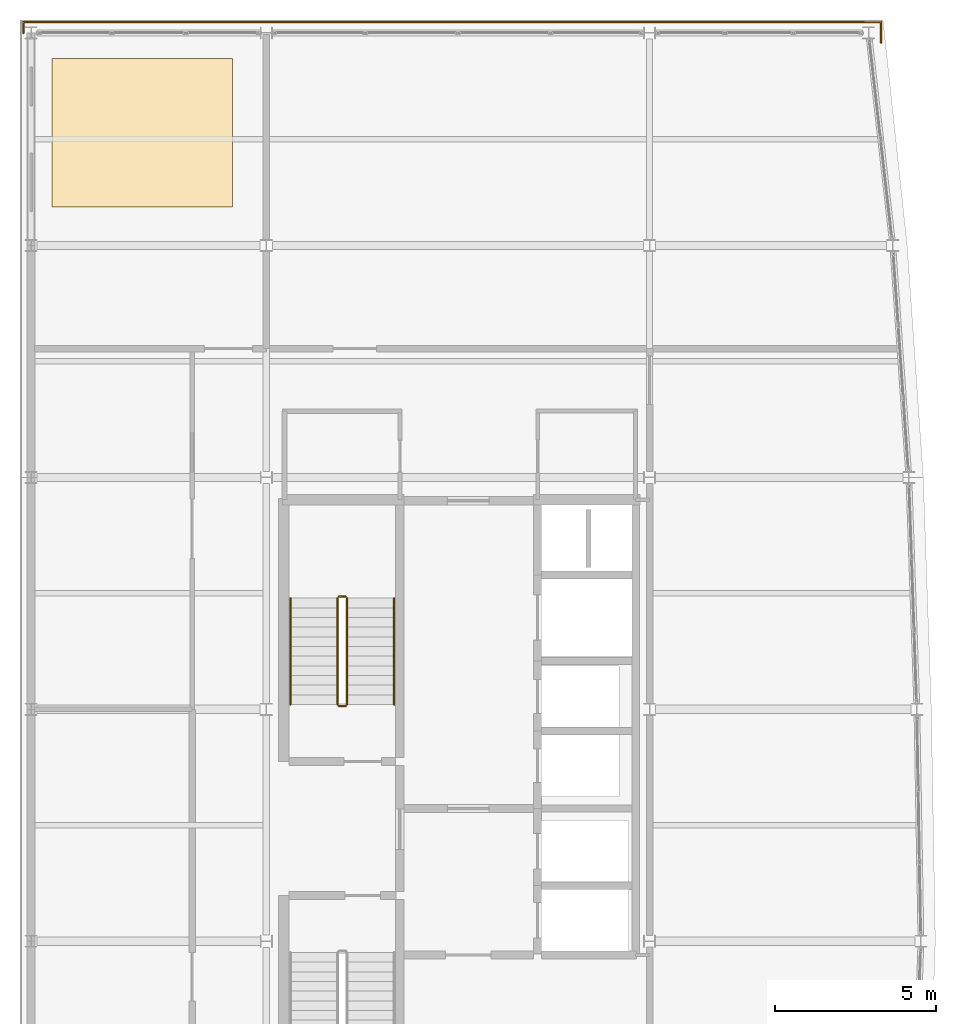
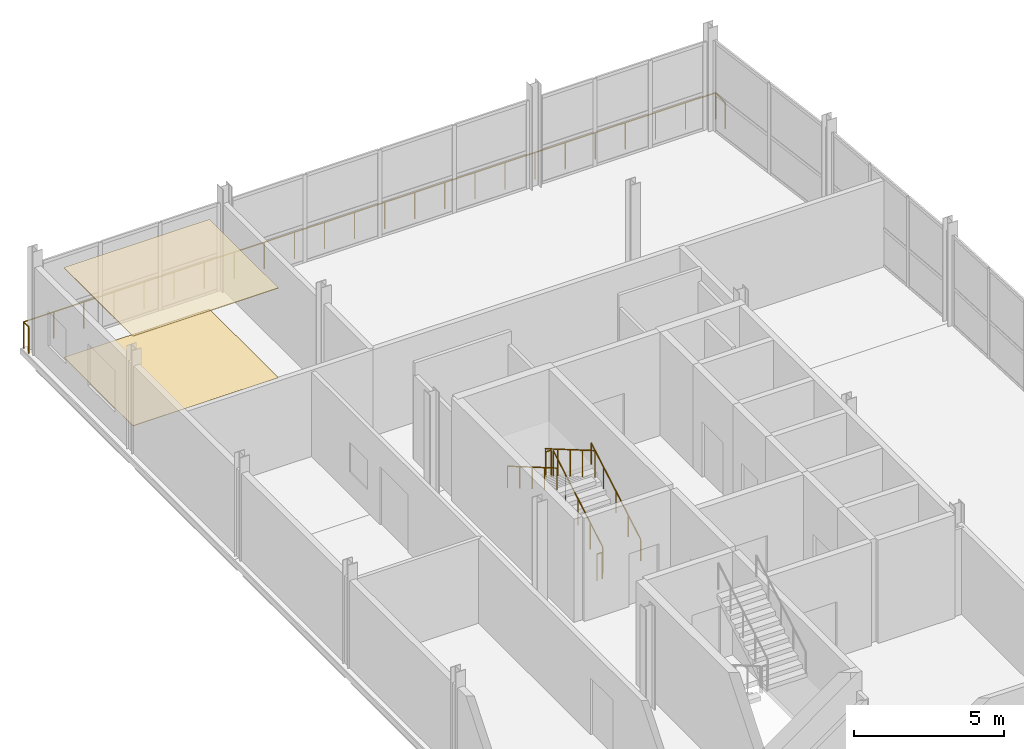
# One storey, part 20 of 20: 7 railings, 2 coverings.
"""IFC4 building model written with IfcOpenShell, lengths in metres."""

from ifc_helpers import new_model, si_unit, direction, frame, origin, origin_2d, place, context, subcontext, project, spatial, polyline, circle, outline, extrude, material, layer, layer_set, type_object, element, save


model = new_model("IFC4")

# Units and contexts
model_context = context("Model", 3, precision=1e-05, world=origin(), true_north=direction((0.0, 1.0)))
body_context = subcontext(model_context, "Body", "Model", "MODEL_VIEW")
ifc_project = project(units=[si_unit("LENGTHUNIT", "METRE"), si_unit("AREAUNIT", "SQUARE_METRE"), si_unit("VOLUMEUNIT", "CUBIC_METRE"), si_unit("PLANEANGLEUNIT", "RADIAN"), si_unit("MASSUNIT", "GRAM", prefix="KILO")], contexts=[model_context])

# Site, building, storey
site_placement = place(None, origin())
site = spatial("IfcSite", under=ifc_project, at=site_placement, CompositionType="ELEMENT")
building_placement = place(site_placement, origin())
building = spatial("IfcBuilding", under=site, at=building_placement, Name="Quillay Park Conservatory", CompositionType="ELEMENT")
storey_placement = place(building_placement, frame((0.0, 0.0, 30.89990234375)))
storey = spatial("IfcBuildingStorey", under=building, at=storey_placement, Name="L07", CompositionType="ELEMENT", Elevation=30.89990234375)

# Coverings
ifc_material_1 = material(Name="Perforated Mineral-Fibre Acoustic Ceiling")
ifc_layer_1 = layer(ifc_material_1, 0.030029296875)
ifc_layer_set_1 = layer_set([ifc_layer_1], Name="LABORATORY HYGIENIC CEILING 30 (Perforated Mineral-Fibre Acoustic Ceiling)")
covering_type_1 = type_object("IfcCoveringType", Name="LABORATORY HYGIENIC CEILING 30", PredefinedType="CEILING", material=ifc_layer_set_1)
covering_1_placement = place(storey_placement, frame((0.0, 0.0, 3.64208984375)))
element("IfcCovering", 1, at=covering_1_placement, inside=storey, type_object=covering_type_1, Name="L07 Suspended Acoustic Ceiling", PredefinedType="CEILING", context=body_context, shape_type="SweptSolid", body=[
    extrude(outline(polyline([(1.199951171875, 108.0), (6.800048828125, 108.0), (6.800048828125, 112.60009765625), (1.199951171875, 112.60009765625), (1.199951171875, 108.0)])), origin(), (0.0, 0.0, 1.0), 0.030029296875),
])
ifc_material_2 = material(Name="Seamless Chemical-Resistant Epoxy Flooring")
ifc_layer_2 = layer(ifc_material_2, 0.01806640625)
ifc_layer_set_2 = layer_set([ifc_layer_2], Name="SEAMLESS EPOXY LAB FLOORING 18 (Seamless Chemical-Resistant Epoxy Flooring)")
covering_type_2 = type_object("IfcCoveringType", Name="SEAMLESS EPOXY LAB FLOORING 18", PredefinedType="FLOORING", material=ifc_layer_set_2)
covering_2_placement = place(storey_placement, origin())
element("IfcCovering", 2, at=covering_2_placement, inside=storey, type_object=covering_type_2, Name="L07 Interior Flooring Finish", PredefinedType="FLOORING", context=body_context, shape_type="SweptSolid", body=[
    extrude(outline(polyline([(1.199951171875, 108.0), (6.800048828125, 108.0), (6.800048828125, 112.60009765625), (1.199951171875, 112.60009765625), (1.199951171875, 108.0)])), origin(), (0.0, 0.0, 1.0), 0.01806640625),
])

# Railings
ifc_material_3 = material(Name="Steel S355J2H", Category="steel")
railing_type_1 = type_object("IfcRailingType", Name="STAIR WALL HANDRAIL 900", PredefinedType="HANDRAIL", material=ifc_material_3)
railing_1_placement = place(storey_placement, frame((11.820068359375, 92.550048828125, 0.175048828125)))
element("IfcRailing", 3, at=railing_1_placement, inside=storey, type_object=railing_type_1, Name="L07 ST-T1 stair handrail 1", PredefinedType="HANDRAIL", context=body_context, shape_type="SweptSolid", body=[
    extrude(circle(Radius=0.02392578125, at=origin_2d()), frame((0.0, 0.0, 0.8759765625), z_axis=(0.0, 0.863776583165, 0.503874998761), x_axis=(-1.0, 0.0, 0.0)), (0.0, 0.0, 1.0), 3.820556640625),
    extrude(circle(Radius=0.02099609375, at=origin_2d()), origin(), (0.0, 0.0, 1.0), 0.851806640625),
    extrude(circle(Radius=0.02099609375, at=origin_2d()), frame((0.0, 0.824951171875, 0.481201171875)), (0.0, 0.0, 1.0), 0.851806640625),
    extrude(circle(Radius=0.02099609375, at=origin_2d()), frame((0.0, 1.64990234375, 0.96240234375)), (0.0, 0.0, 1.0), 0.851806640625),
    extrude(circle(Radius=0.02099609375, at=origin_2d()), frame((0.0, 2.47509765625, 1.44384765625)), (0.0, 0.0, 1.0), 0.851806640625),
    extrude(circle(Radius=0.02099609375, at=origin_2d()), frame((0.0, 3.300048828125, 1.925048828125)), (0.0, 0.0, 1.0), 0.851806640625),
])
railing_2_placement = place(storey_placement, frame((8.60009765625, 95.85009765625, 2.275146484375)))
element("IfcRailing", 4, at=railing_2_placement, inside=storey, type_object=railing_type_1, Name="L07 ST-T1 stair handrail 2", PredefinedType="HANDRAIL", context=body_context, shape_type="SweptSolid", body=[
    extrude(circle(Radius=0.02392578125, at=origin_2d()), frame((0.0, 0.0, 0.8759765625), z_axis=(0.0, -0.863776583165, 0.503874998761), x_axis=(1.0, 0.0, 0.0)), (0.0, 0.0, 1.0), 3.820556640625),
    extrude(circle(Radius=0.02099609375, at=origin_2d()), origin(), (0.0, 0.0, 1.0), 0.851806640625),
    extrude(circle(Radius=0.02099609375, at=origin_2d()), frame((0.0, -0.824951171875, 0.481201171875)), (0.0, 0.0, 1.0), 0.851806640625),
    extrude(circle(Radius=0.02099609375, at=origin_2d()), frame((0.0, -1.64990234375, 0.96240234375)), (0.0, 0.0, 1.0), 0.851806640625),
    extrude(circle(Radius=0.02099609375, at=origin_2d()), frame((0.0, -2.47509765625, 1.44384765625)), (0.0, 0.0, 1.0), 0.851806640625),
    extrude(circle(Radius=0.02099609375, at=origin_2d()), frame((0.0, -3.300048828125, 1.925048828125)), (0.0, 0.0, 1.0), 0.851806640625),
])
ifc_material_4 = material(Name="Steel S355J2H", Category="steel")
railing_type_2 = type_object("IfcRailingType", Name="STAIR WELL GUARDRAIL 1100", PredefinedType="GUARDRAIL", material=ifc_material_4)
railing_3_placement = place(storey_placement, frame((10.360107421875, 92.550048828125, 0.175048828125)))
element("IfcRailing", 5, at=railing_3_placement, inside=storey, type_object=railing_type_2, Name="L07 ST-T1 stair guard 1", PredefinedType="GUARDRAIL", context=body_context, shape_type="SweptSolid", body=[
    extrude(circle(Radius=0.02392578125, at=origin_2d()), frame((0.0, 0.0, 1.076171875), z_axis=(0.0, 0.863776583165, 0.503874998761), x_axis=(-1.0, 0.0, 0.0)), (0.0, 0.0, 1.0), 3.820556640625),
    extrude(circle(Radius=0.02099609375, at=origin_2d()), origin(), (0.0, 0.0, 1.0), 1.052001953125),
    extrude(circle(Radius=0.02099609375, at=origin_2d()), frame((0.0, 0.824951171875, 0.481201171875)), (0.0, 0.0, 1.0), 1.052001953125),
    extrude(circle(Radius=0.02099609375, at=origin_2d()), frame((0.0, 1.64990234375, 0.96240234375)), (0.0, 0.0, 1.0), 1.052001953125),
    extrude(circle(Radius=0.02099609375, at=origin_2d()), frame((0.0, 2.47509765625, 1.44384765625)), (0.0, 0.0, 1.0), 1.052001953125),
    extrude(circle(Radius=0.02099609375, at=origin_2d()), frame((0.0, 3.300048828125, 1.925048828125)), (0.0, 0.0, 1.0), 1.052001953125),
])
railing_4_placement = place(storey_placement, frame((10.31005859375, 95.89990234375, 2.10009765625)))
element("IfcRailing", 6, at=railing_4_placement, inside=storey, type_object=railing_type_2, Name="L07 ST-T1 stair guard 2", PredefinedType="GUARDRAIL", context=body_context, shape_type="SweptSolid", body=[
    extrude(circle(Radius=0.02392578125, at=origin_2d()), frame((0.0, 0.0, 1.076171875), z_axis=(-1.0, 0.0, 0.0), x_axis=(0.0, -1.0, 0.0)), (0.0, 0.0, 1.0), 0.199951171875),
    extrude(circle(Radius=0.02099609375, at=origin_2d()), origin(), (0.0, 0.0, 1.0), 1.052001953125),
    extrude(circle(Radius=0.02099609375, at=origin_2d()), frame((-0.199951171875, 0.0, 0.0)), (0.0, 0.0, 1.0), 1.052001953125),
])
railing_5_placement = place(storey_placement, frame((10.06005859375, 95.85009765625, 2.275146484375)))
element("IfcRailing", 7, at=railing_5_placement, inside=storey, type_object=railing_type_2, Name="L07 ST-T1 stair guard 3", PredefinedType="GUARDRAIL", context=body_context, shape_type="SweptSolid", body=[
    extrude(circle(Radius=0.02392578125, at=origin_2d()), frame((0.0, 0.0, 1.076171875), z_axis=(0.0, -0.863776583165, 0.503874998761), x_axis=(1.0, 0.0, 0.0)), (0.0, 0.0, 1.0), 3.820556640625),
    extrude(circle(Radius=0.02099609375, at=origin_2d()), origin(), (0.0, 0.0, 1.0), 1.052001953125),
    extrude(circle(Radius=0.02099609375, at=origin_2d()), frame((0.0, -0.824951171875, 0.481201171875)), (0.0, 0.0, 1.0), 1.052001953125),
    extrude(circle(Radius=0.02099609375, at=origin_2d()), frame((0.0, -1.64990234375, 0.96240234375)), (0.0, 0.0, 1.0), 1.052001953125),
    extrude(circle(Radius=0.02099609375, at=origin_2d()), frame((0.0, -2.47509765625, 1.44384765625)), (0.0, 0.0, 1.0), 1.052001953125),
    extrude(circle(Radius=0.02099609375, at=origin_2d()), frame((0.0, -3.300048828125, 1.925048828125)), (0.0, 0.0, 1.0), 1.052001953125),
])
railing_6_placement = place(storey_placement, frame((10.31005859375, 92.5, 0.0)))
element("IfcRailing", 8, at=railing_6_placement, inside=storey, type_object=railing_type_2, Name="L07 ST-T1 stair guard 4", PredefinedType="GUARDRAIL", context=body_context, shape_type="SweptSolid", body=[
    extrude(circle(Radius=0.02392578125, at=origin_2d()), frame((0.0, 0.0, 1.076171875), z_axis=(-1.0, 0.0, 0.0), x_axis=(0.0, -1.0, 0.0)), (0.0, 0.0, 1.0), 0.199951171875),
    extrude(circle(Radius=0.02099609375, at=origin_2d()), origin(), (0.0, 0.0, 1.0), 1.052001953125),
    extrude(circle(Radius=0.02099609375, at=origin_2d()), frame((-0.199951171875, 0.0, 0.0)), (0.0, 0.0, 1.0), 1.052001953125),
])
ifc_material_5 = material(Name="Steel S355J2H", Category="steel")
railing_type_3 = type_object("IfcRailingType", Name="TERRACE PERIMETER GUARDRAIL 1100", PredefinedType="GUARDRAIL", material=ifc_material_5)
railing_7_placement = place(storey_placement, frame((0.31005859375, 113.39990234375, 0.0)))
element("IfcRailing", 9, at=railing_7_placement, inside=storey, type_object=railing_type_3, Name="L07 Perimeter Safety Guardrail 032", PredefinedType="GUARDRAIL", context=body_context, shape_type="SweptSolid", body=[
    extrude(circle(Radius=0.02392578125, at=origin_2d()), frame((0.0, 0.0, 1.076171875), z_axis=(0.0, 1.0, 0.0), x_axis=(-1.0, 0.0, 0.0)), (0.0, 0.0, 1.0), 0.340087890625),
    extrude(circle(Radius=0.02392578125, at=origin_2d()), frame((0.0, 0.340087890625, 1.076171875), z_axis=(1.0, 0.0, 0.0), x_axis=(0.0, 1.0, 0.0)), (0.0, 0.0, 1.0), 26.6298828125),
    extrude(circle(Radius=0.02392578125, at=origin_2d()), frame((26.6298828125, 0.340087890625, 1.076171875), z_axis=(0.0, -1.0, 0.0), x_axis=(1.0, 0.0, 0.0)), (0.0, 0.0, 1.0), 0.639892578125),
    extrude(circle(Radius=0.02099609375, at=origin_2d()), origin(), (0.0, 0.0, 1.0), 1.052001953125),
    extrude(circle(Radius=0.02099609375, at=origin_2d()), frame((0.0, 0.340087890625, 0.0)), (0.0, 0.0, 1.0), 1.052001953125),
    extrude(circle(Radius=0.02099609375, at=origin_2d()), frame((1.15771484375, 0.340087890625, 0.0)), (0.0, 0.0, 1.0), 1.052001953125),
    extrude(circle(Radius=0.02099609375, at=origin_2d()), frame((2.315673828125, 0.340087890625, 0.0)), (0.0, 0.0, 1.0), 1.052001953125),
    extrude(circle(Radius=0.02099609375, at=origin_2d()), frame((3.473388671875, 0.340087890625, 0.0)), (0.0, 0.0, 1.0), 1.052001953125),
    extrude(circle(Radius=0.02099609375, at=origin_2d()), frame((4.63134765625, 0.340087890625, 0.0)), (0.0, 0.0, 1.0), 1.052001953125),
    extrude(circle(Radius=0.02099609375, at=origin_2d()), frame((5.7890625, 0.340087890625, 0.0)), (0.0, 0.0, 1.0), 1.052001953125),
    extrude(circle(Radius=0.02099609375, at=origin_2d()), frame((6.947021484375, 0.340087890625, 0.0)), (0.0, 0.0, 1.0), 1.052001953125),
    extrude(circle(Radius=0.02099609375, at=origin_2d()), frame((8.104736328125, 0.340087890625, 0.0)), (0.0, 0.0, 1.0), 1.052001953125),
    extrude(circle(Radius=0.02099609375, at=origin_2d()), frame((9.262451171875, 0.340087890625, 0.0)), (0.0, 0.0, 1.0), 1.052001953125),
    extrude(circle(Radius=0.02099609375, at=origin_2d()), frame((10.42041015625, 0.340087890625, 0.0)), (0.0, 0.0, 1.0), 1.052001953125),
    extrude(circle(Radius=0.02099609375, at=origin_2d()), frame((11.578125, 0.340087890625, 0.0)), (0.0, 0.0, 1.0), 1.052001953125),
    extrude(circle(Radius=0.02099609375, at=origin_2d()), frame((12.736083984375, 0.340087890625, 0.0)), (0.0, 0.0, 1.0), 1.052001953125),
    extrude(circle(Radius=0.02099609375, at=origin_2d()), frame((13.893798828125, 0.340087890625, 0.0)), (0.0, 0.0, 1.0), 1.052001953125),
    extrude(circle(Radius=0.02099609375, at=origin_2d()), frame((15.0517578125, 0.340087890625, 0.0)), (0.0, 0.0, 1.0), 1.052001953125),
    extrude(circle(Radius=0.02099609375, at=origin_2d()), frame((16.20947265625, 0.340087890625, 0.0)), (0.0, 0.0, 1.0), 1.052001953125),
    extrude(circle(Radius=0.02099609375, at=origin_2d()), frame((17.367431640625, 0.340087890625, 0.0)), (0.0, 0.0, 1.0), 1.052001953125),
    extrude(circle(Radius=0.02099609375, at=origin_2d()), frame((18.525146484375, 0.340087890625, 0.0)), (0.0, 0.0, 1.0), 1.052001953125),
    extrude(circle(Radius=0.02099609375, at=origin_2d()), frame((19.682861328125, 0.340087890625, 0.0)), (0.0, 0.0, 1.0), 1.052001953125),
    extrude(circle(Radius=0.02099609375, at=origin_2d()), frame((20.8408203125, 0.340087890625, 0.0)), (0.0, 0.0, 1.0), 1.052001953125),
    extrude(circle(Radius=0.02099609375, at=origin_2d()), frame((21.99853515625, 0.340087890625, 0.0)), (0.0, 0.0, 1.0), 1.052001953125),
    extrude(circle(Radius=0.02099609375, at=origin_2d()), frame((23.156494140625, 0.340087890625, 0.0)), (0.0, 0.0, 1.0), 1.052001953125),
    extrude(circle(Radius=0.02099609375, at=origin_2d()), frame((24.314208984375, 0.340087890625, 0.0)), (0.0, 0.0, 1.0), 1.052001953125),
    extrude(circle(Radius=0.02099609375, at=origin_2d()), frame((25.47216796875, 0.340087890625, 0.0)), (0.0, 0.0, 1.0), 1.052001953125),
    extrude(circle(Radius=0.02099609375, at=origin_2d()), frame((26.6298828125, 0.340087890625, 0.0)), (0.0, 0.0, 1.0), 1.052001953125),
    extrude(circle(Radius=0.02099609375, at=origin_2d()), frame((26.6298828125, -0.2998046875, 0.0)), (0.0, 0.0, 1.0), 1.052001953125),
])

save(model, "model.ifc")
